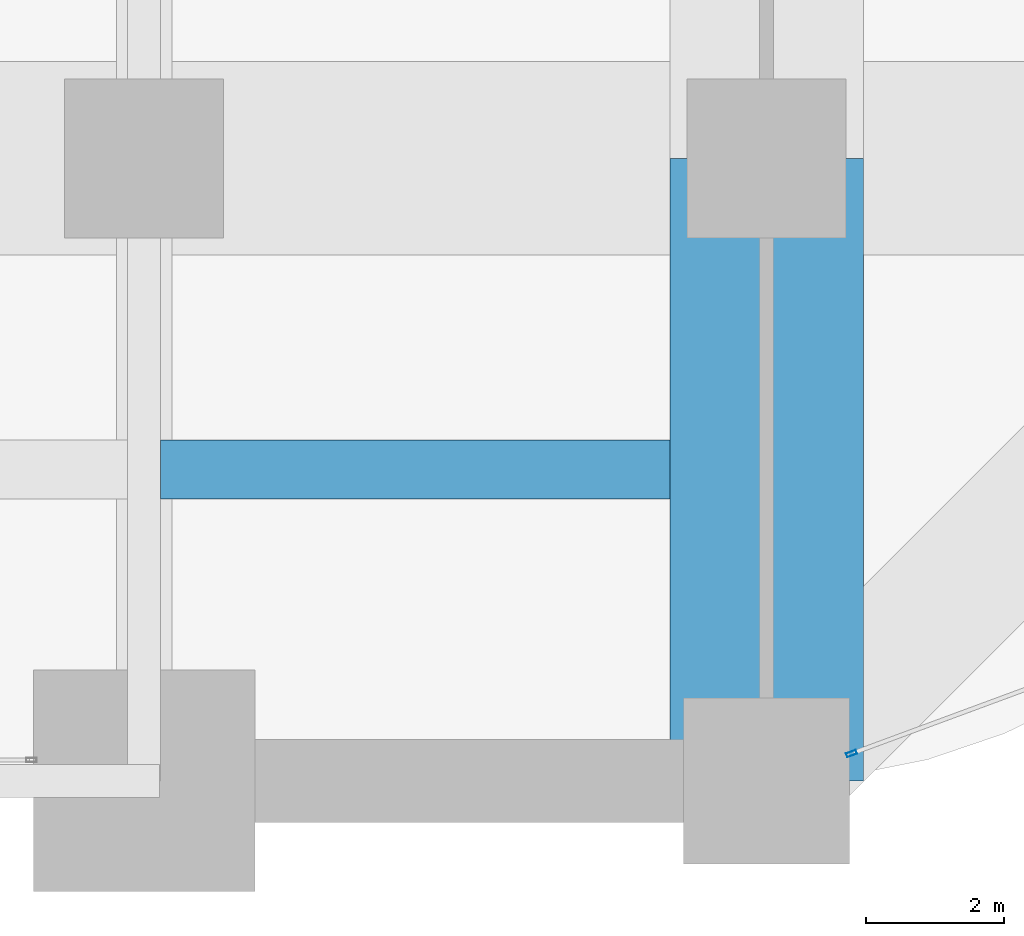
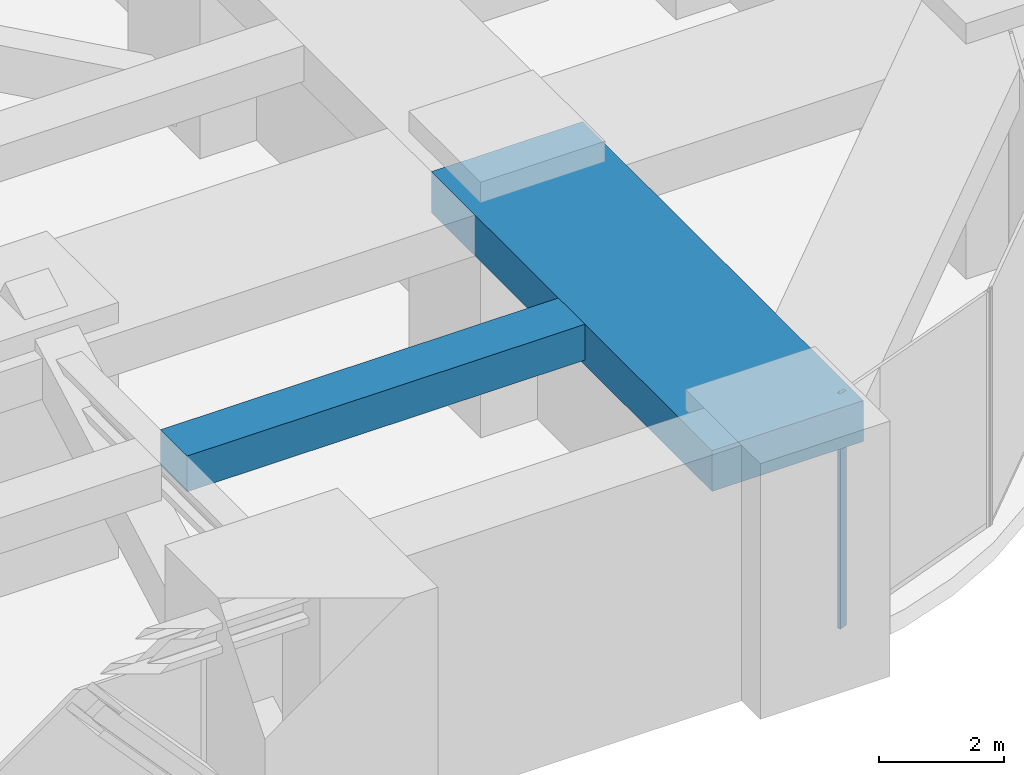
# One storey, part 12 of 35: 2 beams, 1 member, 1 element without a shape of its own.
"""IFC4 building model written with IfcOpenShell, lengths in metres."""

from ifc_helpers import new_model, si_unit, direction, frame, origin, origin_2d, place, context, subcontext, project, spatial, rectangle, hollow_rectangle, extrude, material, material_profile, profile_set, type_object, element, aggregate, save


model = new_model("IFC4")

# Units and contexts
model_context = context("Model", 3, precision=1e-05, world=origin(), true_north=direction((0.0, 1.0)))
body_context = subcontext(model_context, "Body", "Model", "MODEL_VIEW")
ifc_project = project(units=[si_unit("LENGTHUNIT", "METRE"), si_unit("AREAUNIT", "SQUARE_METRE"), si_unit("VOLUMEUNIT", "CUBIC_METRE"), si_unit("PLANEANGLEUNIT", "RADIAN"), si_unit("MASSUNIT", "GRAM", prefix="KILO")], contexts=[model_context])

# Site, building, storey
site_placement = place(None, origin())
site = spatial("IfcSite", under=ifc_project, at=site_placement, CompositionType="ELEMENT")
building_placement = place(site_placement, origin())
building = spatial("IfcBuilding", under=site, at=building_placement, Name="Zorevar Civic Tower", CompositionType="ELEMENT")
storey_placement = place(building_placement, frame((0.0, 0.0, 80.0)))
storey = spatial("IfcBuildingStorey", under=building, at=storey_placement, Name="L19", CompositionType="ELEMENT", Elevation=80.0)

# Beams
ifc_material_1 = material(Name="Concrete C50/60", Category="concrete")
ifc_material_profile_1 = material_profile(ifc_material_1, rectangle(XDim=2.800048828125, YDim=0.800048828125, at=origin_2d()), Name="RC 2800x800")
ifc_profile_set_1 = profile_set([ifc_material_profile_1], Name="Concrete C50/60")
beam_type_1 = type_object("IfcBeamType", Name="Beam RC 2800x800", PredefinedType="BEAM", material=ifc_profile_set_1)
beam_1_placement = place(storey_placement, frame((54.0, 0.0, 4.199951171875), z_axis=(0.0, 1.0, 0.0), x_axis=(-1.0, 0.0, 0.0)))
element("IfcBeam", 1, at=beam_1_placement, inside=storey, type_object=beam_type_1, Name="Girder L20", PredefinedType="BEAM", context=body_context, shape_type="SweptSolid", body=[
    extrude(rectangle(XDim=2.800048828125, YDim=0.800048828125, at=origin_2d()), origin(), (0.0, 0.0, 1.0), 9.0),
])
ifc_material_2 = material(Name="Concrete C50/60", Category="concrete")
ifc_material_profile_2 = material_profile(ifc_material_2, rectangle(XDim=0.85009765625, YDim=0.699951171875, at=origin_2d()), Name="RC 850x700")
ifc_profile_set_2 = profile_set([ifc_material_profile_2], Name="Concrete C50/60")
beam_type_2 = type_object("IfcBeamType", Name="Beam RC 850x700", PredefinedType="BEAM", material=ifc_profile_set_2)
beam_2_placement = place(storey_placement, frame((45.238037109375, 4.5, 4.25), z_axis=(1.0, 0.0, 0.0), x_axis=(0.0, 1.0, 0.0)))
element("IfcBeam", 2, at=beam_2_placement, inside=storey, type_object=beam_type_2, Name="Secondary beam L20", PredefinedType="BEAM", context=body_context, shape_type="SweptSolid", body=[
    extrude(rectangle(XDim=0.85009765625, YDim=0.699951171875, at=origin_2d()), origin(), (0.0, 0.0, 1.0), 7.362060546875),
])

# Curtain wall, member
ifc_material_3 = material(Name="Black aluminium louvres", Category="aluminium")
curtain_wall_type = type_object("IfcCurtainWallType", Name="Louvred curtain wall CW6 refuge", PredefinedType="NOTDEFINED", material=ifc_material_3)
curtain_wall_placement = place(storey_placement, origin())
curtain_wall = element("IfcCurtainWall", 3, at=curtain_wall_placement, inside=storey, type_object=curtain_wall_type, Name="CW6 L19", PredefinedType="NOTDEFINED")
ifc_material_4 = material(Name="Aluminium, black anodised", Category="aluminium")
ifc_material_profile_3 = material_profile(ifc_material_4, hollow_rectangle(XDim=0.06005859375, YDim=0.14990234375, WallThickness=0.00390625, at=origin_2d()), Name="AL 150x60x4")
ifc_profile_set_3 = profile_set([ifc_material_profile_3], Name="Aluminium, black anodised")
member_type = type_object("IfcMemberType", Name="CW6 mullion AL 150x60x4", PredefinedType="MULLION", material=ifc_profile_set_3)
member_placement = place(storey_placement, frame((55.22802734375, 0.3935546875, 0.0), z_axis=(0.0, 0.0, 1.0), x_axis=(-0.346704012033, 0.937974588163, 0.0)))
member = element("IfcMember", 4, at=member_placement, type_object=member_type, Name="CW6 mullion 1", PredefinedType="MULLION", context=body_context, shape_type="SweptSolid", body=[
    extrude(hollow_rectangle(XDim=0.06005859375, YDim=0.14990234375, WallThickness=0.00390625, at=origin_2d()), origin(), (0.0, 0.0, 1.0), 4.60009765625),
])
aggregate(curtain_wall, [member])

save(model, "model.ifc")
